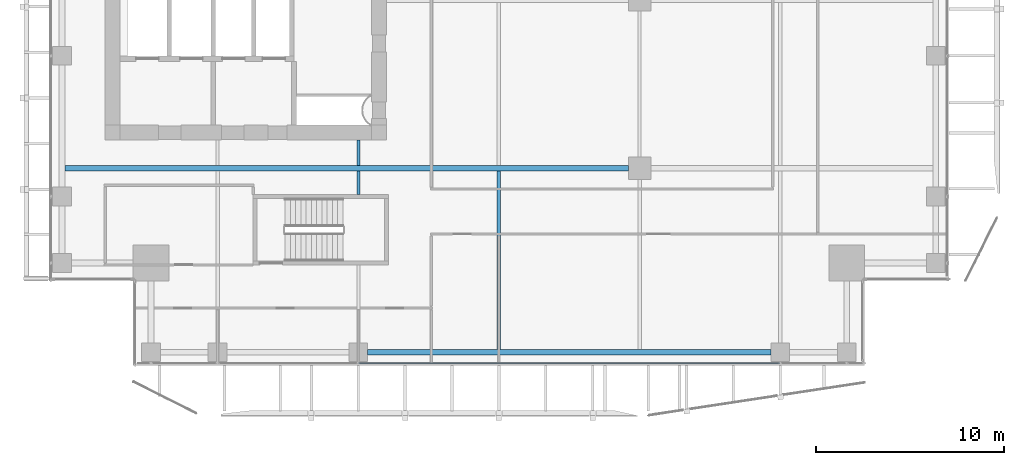
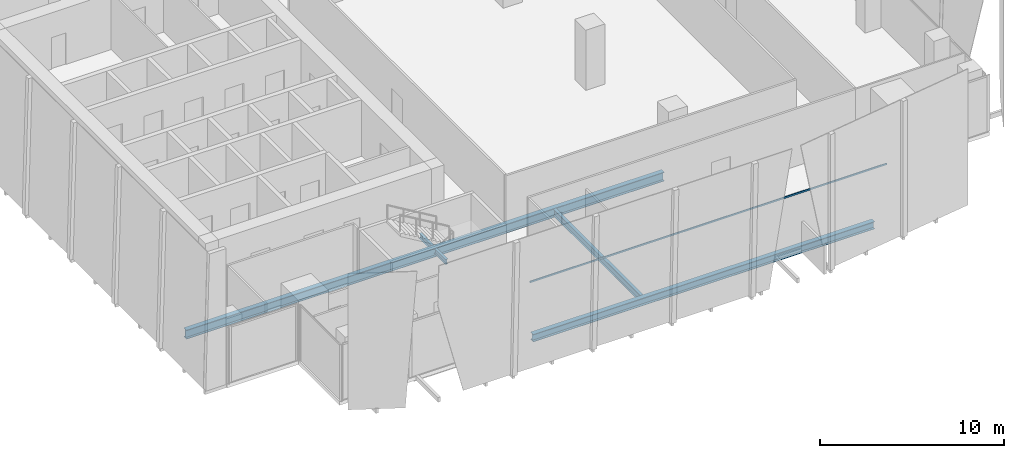
# One storey, part 6 of 35: 5 beams, 1 member, 1 element without a shape of its own.
"""IFC4 building model written with IfcOpenShell, lengths in metres."""

from ifc_helpers import new_model, si_unit, direction, frame, origin, origin_2d, place, context, subcontext, project, spatial, hollow_rectangle, i_section, extrude, source, transform, mapped, material, material_profile, profile_set, type_object, element, aggregate, save


model = new_model("IFC4")

# Units and contexts
model_context = context("Model", 3, precision=1e-05, world=origin(), true_north=direction((0.0, 1.0)))
body_context = subcontext(model_context, "Body", "Model", "MODEL_VIEW")
ifc_project = project(units=[si_unit("LENGTHUNIT", "METRE"), si_unit("AREAUNIT", "SQUARE_METRE"), si_unit("VOLUMEUNIT", "CUBIC_METRE"), si_unit("PLANEANGLEUNIT", "RADIAN"), si_unit("MASSUNIT", "GRAM", prefix="KILO")], contexts=[model_context])

# Site, building, storey
site_placement = place(None, origin())
site = spatial("IfcSite", under=ifc_project, at=site_placement, CompositionType="ELEMENT")
building_placement = place(site_placement, origin())
building = spatial("IfcBuilding", under=site, at=building_placement, Name="Khomas Fold Tower", CompositionType="ELEMENT")
storey_placement = place(building_placement, frame((0.0, 0.0, 212.699951171875)))
storey = spatial("IfcBuildingStorey", under=building, at=storey_placement, Name="L47", CompositionType="ELEMENT", Elevation=212.699951171875)

# Beams
ifc_material_1 = material(Name="Steel S355", Category="steel")
ifc_material_profile_1 = material_profile(ifc_material_1, i_section(OverallWidth=0.159912109375, OverallDepth=0.330078125, WebThickness=0.007568359375, FlangeThickness=0.011474609375, at=origin_2d()), Name="IPE 330")
ifc_profile_set_1 = profile_set([ifc_material_profile_1], Name="Steel S355")
beam_type_1 = type_object("IfcBeamType", Name="IPE 330 beam JB1", PredefinedType="BEAM", material=ifc_profile_set_1)
shared_shape_1 = source(origin(), body_context, "Body", "SweptSolid", [
    extrude(i_section(OverallWidth=0.159912109375, OverallDepth=0.330078125, WebThickness=0.007568359375, FlangeThickness=0.011474609375, at=origin_2d()), origin(), (0.0, 0.0, 1.0), 1.25),
])
beam_1_placement = place(storey_placement, frame((19.5, 12.10009765625, -0.4150390625), z_axis=(0.0, 1.0, 0.0), x_axis=(-1.0, 0.0, 0.0)))
element("IfcBeam", 1, at=beam_1_placement, inside=storey, type_object=beam_type_1, Name="JB1", PredefinedType="BEAM", context=body_context, shape_type="MappedRepresentation", body=[
    mapped(shared_shape_1, transform((0.0, 0.0, 0.0))),
])
ifc_material_2 = material(Name="Steel S355", Category="steel")
ifc_material_profile_2 = material_profile(ifc_material_2, i_section(OverallWidth=0.300048828125, OverallDepth=0.5, WebThickness=0.014404296875, FlangeThickness=0.028076171875, at=origin_2d()), Name="HE 500 B")
ifc_profile_set_2 = profile_set([ifc_material_profile_2], Name="Steel S355")
beam_type_2 = type_object("IfcBeamType", Name="HE 500 B spandrel SB3", PredefinedType="SPANDREL", material=ifc_profile_set_2)
shared_shape_2 = source(origin(), body_context, "Body", "SweptSolid", [
    extrude(i_section(OverallWidth=0.300048828125, OverallDepth=0.5, WebThickness=0.014404296875, FlangeThickness=0.028076171875, at=origin_2d()), origin(), (0.0, 0.0, 1.0), 21.5),
])
beam_2_placement = place(storey_placement, frame((20.0, 3.699951171875, -0.5), z_axis=(1.0, 0.0, 0.0), x_axis=(0.0, 1.0, 0.0)))
element("IfcBeam", 2, at=beam_2_placement, inside=storey, type_object=beam_type_2, Name="SB3", PredefinedType="SPANDREL", context=body_context, shape_type="MappedRepresentation", body=[
    mapped(shared_shape_2, transform((0.0, 0.0, 0.0))),
])
ifc_material_3 = material(Name="Steel S355", Category="steel")
ifc_material_profile_3 = material_profile(ifc_material_3, i_section(OverallWidth=0.18994140625, OverallDepth=0.449951171875, WebThickness=0.009521484375, FlangeThickness=0.0146484375, at=origin_2d()), Name="IPE 450")
ifc_profile_set_3 = profile_set([ifc_material_profile_3], Name="Steel S355")
beam_type_3 = type_object("IfcBeamType", Name="IPE 450 beam JB4", PredefinedType="BEAM", material=ifc_profile_set_3)
shared_shape_3 = source(origin(), body_context, "Body", "SweptSolid", [
    extrude(i_section(OverallWidth=0.18994140625, OverallDepth=0.449951171875, WebThickness=0.009521484375, FlangeThickness=0.0146484375, at=origin_2d()), origin(), (0.0, 0.0, 1.0), 9.5),
])
beam_3_placement = place(storey_placement, frame((27.0, 3.85009765625, -0.474853515625), z_axis=(0.0, 1.0, 0.0), x_axis=(-1.0, 0.0, 0.0)))
element("IfcBeam", 3, at=beam_3_placement, inside=storey, type_object=beam_type_3, Name="JB4", PredefinedType="BEAM", context=body_context, shape_type="MappedRepresentation", body=[
    mapped(shared_shape_3, transform((0.0, 0.0, 0.0))),
])
ifc_material_4 = material(Name="Steel S355", Category="steel")
ifc_material_profile_4 = material_profile(ifc_material_4, i_section(OverallWidth=0.300048828125, OverallDepth=0.60009765625, WebThickness=0.015380859375, FlangeThickness=0.030029296875, at=origin_2d()), Name="HE 600 B")
ifc_profile_set_4 = profile_set([ifc_material_profile_4], Name="Steel S355")
beam_type_4 = type_object("IfcBeamType", Name="HE 600 B beam GB5", PredefinedType="BEAM", material=ifc_profile_set_4)
shared_shape_4 = source(origin(), body_context, "Body", "SweptSolid", [
    extrude(i_section(OverallWidth=0.300048828125, OverallDepth=0.60009765625, WebThickness=0.015380859375, FlangeThickness=0.030029296875, at=origin_2d()), origin(), (0.0, 0.0, 1.0), 30.0498046875),
])
beam_4_placement = place(storey_placement, frame((3.85009765625, 13.5, -0.550048828125), z_axis=(1.0, 0.0, 0.0), x_axis=(0.0, 1.0, 0.0)))
element("IfcBeam", 4, at=beam_4_placement, inside=storey, type_object=beam_type_4, Name="GB5", PredefinedType="BEAM", context=body_context, shape_type="MappedRepresentation", body=[
    mapped(shared_shape_4, transform((0.0, 0.0, 0.0))),
])
shared_shape_5 = source(origin(), body_context, "Body", "SweptSolid", [
    extrude(i_section(OverallWidth=0.159912109375, OverallDepth=0.330078125, WebThickness=0.007568359375, FlangeThickness=0.011474609375, at=origin_2d()), origin(), (0.0, 0.0, 1.0), 1.35009765625),
])
beam_5_placement = place(storey_placement, frame((19.5, 13.64990234375, -0.4150390625), z_axis=(0.0, 1.0, 0.0), x_axis=(-1.0, 0.0, 0.0)))
element("IfcBeam", 5, at=beam_5_placement, inside=storey, type_object=beam_type_1, Name="JB1", PredefinedType="BEAM", context=body_context, shape_type="MappedRepresentation", body=[
    mapped(shared_shape_5, transform((0.0, 0.0, 0.0))),
])

# Curtain wall, member
ifc_material_5 = material(Name="Aluminium framed double glazing", Category="aluminium")
curtain_wall_type = type_object("IfcCurtainWallType", Name="SK-Unitised clear-glass wall, office floors CW2", PredefinedType="NOTDEFINED", material=ifc_material_5)
curtain_wall_placement = place(storey_placement, origin())
curtain_wall = element("IfcCurtainWall", 6, at=curtain_wall_placement, inside=storey, type_object=curtain_wall_type, Name="CW2 run L47 00-0", PredefinedType="NOTDEFINED")
ifc_material_6 = material(Name="Aluminium", Category="aluminium")
ifc_material_profile_5 = material_profile(ifc_material_6, hollow_rectangle(XDim=0.050048828125, YDim=0.110107421875, WallThickness=0.00390625, at=origin_2d()), Name="SK-Unitised clear-glass wall, office floors transom CW2-T")
ifc_profile_set_5 = profile_set([ifc_material_profile_5], Name="Aluminium")
member_type = type_object("IfcMemberType", Name="SK-Unitised clear-glass wall, office floors transom CW2-T", PredefinedType="USERDEFINED", material=ifc_profile_set_5)
shared_shape_6 = source(origin(), body_context, "Body", "SweptSolid", [
    extrude(hollow_rectangle(XDim=0.050048828125, YDim=0.110107421875, WallThickness=0.00390625, at=origin_2d()), origin(), (0.0, 0.0, 1.0), 22.43994140625),
])
member_placement = place(storey_placement, frame((19.530029296875, 3.10009765625, 3.695068359375), z_axis=(1.0, 0.0, 0.0), x_axis=(0.0, 1.0, 0.0)))
member = element("IfcMember", 7, at=member_placement, type_object=member_type, Name="CW2 transom 4", ObjectType="TRANSOM", PredefinedType="USERDEFINED", context=body_context, shape_type="MappedRepresentation", body=[
    mapped(shared_shape_6, transform((0.0, 0.0, 0.0))),
])
aggregate(curtain_wall, [member])

save(model, "model.ifc")
